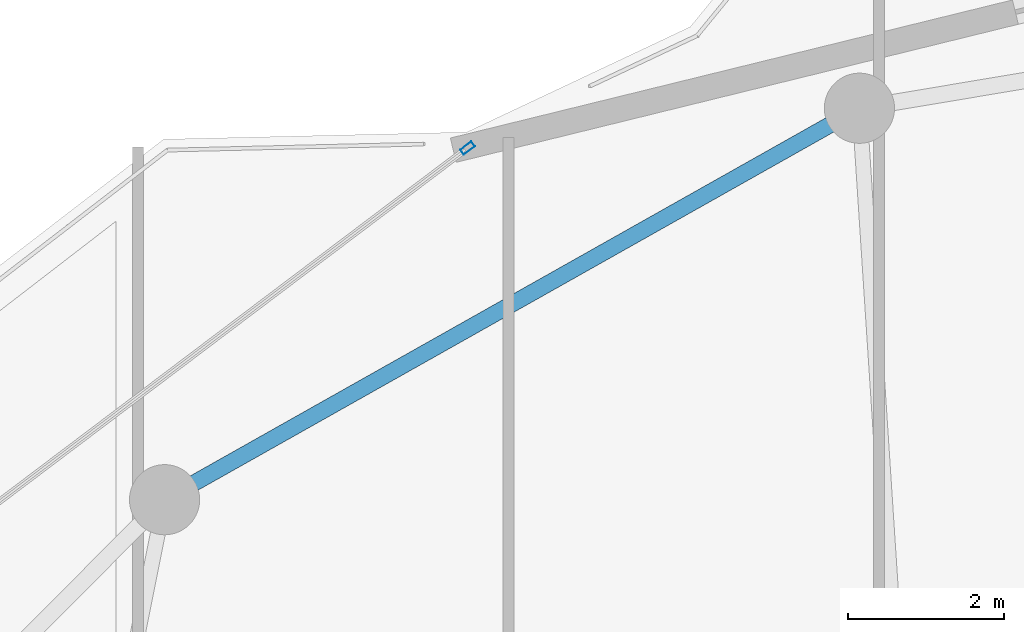
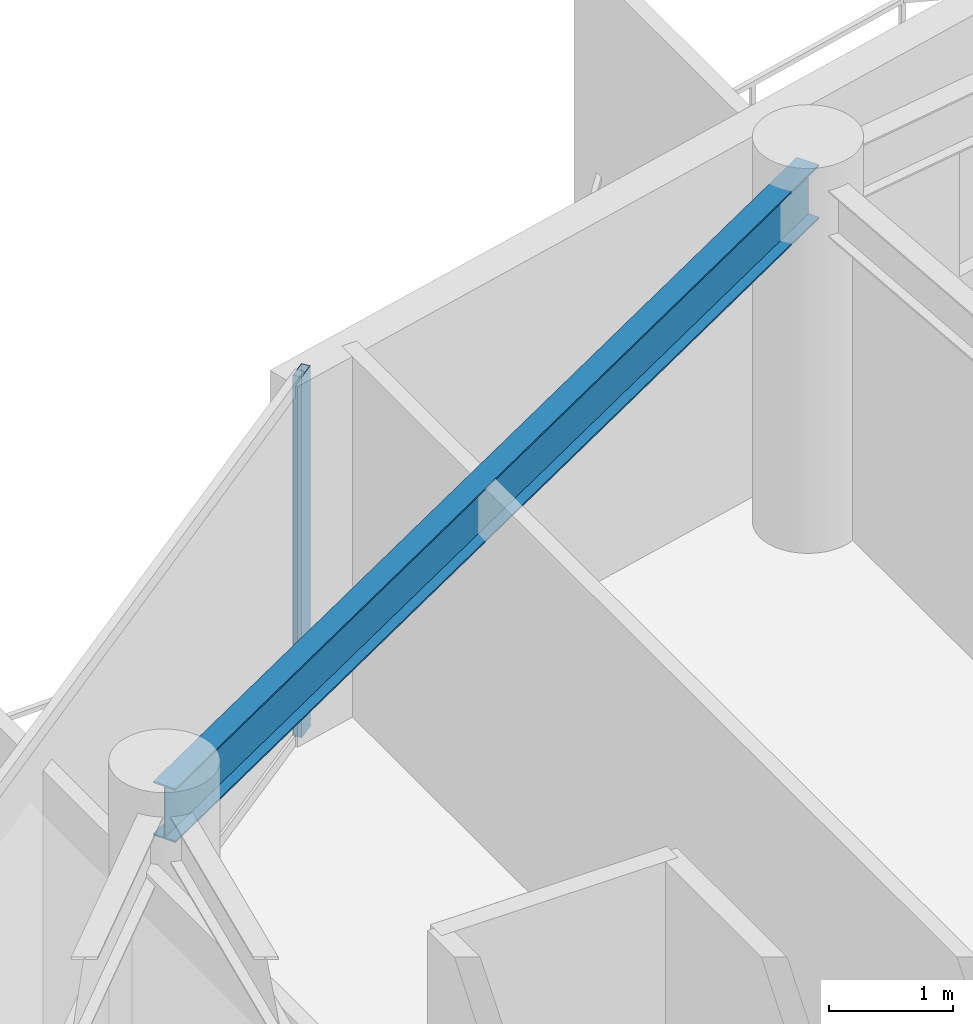
# One storey, part 18 of 29: 1 beam, 1 member, 1 element without a shape of its own.
"""IFC4 building model written with IfcOpenShell, lengths in metres."""

import ifcopenshell
import ifcopenshell.guid

model = None  # the IFC model being written
_history = None  # IfcOwnerHistory: only IFC2X3 demands one
_inside = {}  # id of a spatial element -> (the spatial element, [elements in it])
_under = {}  # id of a project, library or spatial element -> (it, [spatial elements below it])
_declared = {}  # id of a project -> (the project, [libraries it declares])
_typed = {}  # id of a type object -> (the type object, [elements of that type])
_made_of = {}  # id of a material, layer set ... -> (it, [elements and type objects made of it])


def new_model(schema):
    """Start an empty IFC model of exactly this schema.

    Asked for "IFC4X3", IfcOpenShell would pick the latest addendum, in which some entities
    have other attributes; the version numbers below select the first issue.
    IFC2X3 requires an IfcOwnerHistory on every rooted entity: one is made here for all.
    """
    global model, _history
    if schema == "IFC4X3":
        model = ifcopenshell.file(schema_version=(4, 3, 0, 0))
    else:
        model = ifcopenshell.file(schema=schema)
    _inside.clear()
    _under.clear()
    _declared.clear()
    _typed.clear()
    _made_of.clear()
    _history = None
    if model.schema == "IFC2X3":
        org = make("IfcOrganization", Name="unknown")
        user = make(
            "IfcPersonAndOrganization",
            ThePerson=make("IfcPerson", FamilyName="unknown"),
            TheOrganization=org,
        )
        app = make(
            "IfcApplication",
            ApplicationDeveloper=org,
            Version="unknown",
            ApplicationFullName="unknown",
            ApplicationIdentifier="unknown",
        )
        _history = make(
            "IfcOwnerHistory",
            OwningUser=user,
            OwningApplication=app,
            ChangeAction="ADDED",
            CreationDate=0,
        )
    return model


def make(cls, **values):
    """One entity of the class cls with the attributes given. An attribute that is None is left unset."""
    return model.create_entity(
        cls, **{name: value for name, value in values.items() if value is not None}
    )


def rooted(cls, **values):
    """An entity with a GlobalId (a new one), such as an element, a storey or a relation."""
    return make(cls, GlobalId=ifcopenshell.guid.new(), OwnerHistory=_history, **values)


def si_unit(unit_type, name, prefix=None):
    """IfcSIUnit, for example si_unit("LENGTHUNIT", "METRE", prefix="MILLI")."""
    return make("IfcSIUnit", UnitType=unit_type, Prefix=prefix, Name=name)


def assignment(units):
    """IfcUnitAssignment: the units of a project."""
    return None if units is None else make("IfcUnitAssignment", Units=units)


def point(xyz):
    """IfcCartesianPoint."""
    return None if xyz is None else make("IfcCartesianPoint", Coordinates=xyz)


def direction(xyz):
    """IfcDirection."""
    return None if xyz is None else make("IfcDirection", DirectionRatios=xyz)


def frame(location, z_axis=None, x_axis=None):
    """IfcAxis2Placement3D, a coordinate frame: its origin and axes. An axis left out is left unset."""
    return make(
        "IfcAxis2Placement3D",
        Location=point(location),
        Axis=direction(z_axis),
        RefDirection=direction(x_axis),
    )


def frame_2d(location, x_axis=None):
    """IfcAxis2Placement2D, a coordinate frame in the plane: its origin and x axis."""
    return make(
        "IfcAxis2Placement2D", Location=point(location), RefDirection=direction(x_axis)
    )


def origin():
    """The frame at (0, 0, 0) with its axes left unset."""
    return frame((0.0, 0.0, 0.0))


def origin_2d():
    """The frame at (0, 0) in the plane with its x axis left unset."""
    return frame_2d((0.0, 0.0))


def place(relative_to, where):
    """IfcLocalPlacement: puts the frame where relative to a parent placement (None: the world)."""
    return make(
        "IfcLocalPlacement", PlacementRelTo=relative_to, RelativePlacement=where
    )


def context(
    kind, dimensions, precision=None, world=None, true_north=None, identifier=None
):
    """IfcGeometricRepresentationContext, for example the 3D "Model" context."""
    return make(
        "IfcGeometricRepresentationContext",
        ContextIdentifier=identifier,
        ContextType=kind,
        CoordinateSpaceDimension=dimensions,
        Precision=precision,
        WorldCoordinateSystem=world,
        TrueNorth=true_north,
    )


def subcontext(parent, identifier, kind, view, scale=None):
    """IfcGeometricRepresentationSubContext, for example "Body" below "Model"."""
    return make(
        "IfcGeometricRepresentationSubContext",
        ContextIdentifier=identifier,
        ContextType=kind,
        ParentContext=parent,
        TargetScale=scale,
        TargetView=view,
    )


def project(units=None, contexts=None):
    """IfcProject with its units and contexts."""
    return rooted(
        "IfcProject",
        Name="project",
        RepresentationContexts=contexts,
        UnitsInContext=assignment(units),
    )


def spatial(cls, under=None, at=None, **own):
    """A site, building, storey or space (cls), placed at a placement, below another one or the project."""
    s = rooted(cls, ObjectPlacement=at, **own)
    if under is not None:
        _under.setdefault(under.id(), (under, []))[1].append(s)
    return s


def profile(cls, at=None, kind="AREA", **sizes):
    """A parametric profile (cls). Its sizes go by their IFC names, for example OverallWidth=200.0."""
    return make(cls, ProfileType=kind, Position=at, **sizes)


def hollow_rectangle(**sizes):
    """IfcRectangleHollowProfileDef."""
    return profile("IfcRectangleHollowProfileDef", **sizes)


def i_section(**sizes):
    """IfcIShapeProfileDef."""
    return profile("IfcIShapeProfileDef", **sizes)


def extrude(swept, where, along, depth):
    """IfcExtrudedAreaSolid: the profile swept, set in the frame where, extruded along a direction by depth."""
    return make(
        "IfcExtrudedAreaSolid",
        SweptArea=swept,
        Position=where,
        ExtrudedDirection=direction(along),
        Depth=depth,
    )


def shape(context_of_items, identifier, shape_type, items):
    """IfcShapeRepresentation: the items that make up one representation, for example the "Body"."""
    return make(
        "IfcShapeRepresentation",
        ContextOfItems=context_of_items,
        RepresentationIdentifier=identifier,
        RepresentationType=shape_type,
        Items=items,
    )


def material(Name=None, Category=None):
    """IfcMaterial."""
    return make("IfcMaterial", Name=Name, Category=Category)


def layer(
    of_material, thickness, ventilated=None, Name=None, Category=None, Priority=None
):
    """IfcMaterialLayer: one layer of a wall or slab, of a material (None: an air gap)."""
    return make(
        "IfcMaterialLayer",
        Material=of_material,
        LayerThickness=thickness,
        IsVentilated=ventilated,
        Name=Name,
        Category=Category,
        Priority=Priority,
    )


def layer_set(layers, Name=None):
    """IfcMaterialLayerSet."""
    return make("IfcMaterialLayerSet", MaterialLayers=layers, LayerSetName=Name)


def material_profile(
    of_material, cross_section, Name=None, Category=None, Priority=None
):
    """IfcMaterialProfile: a cross section and its material."""
    return make(
        "IfcMaterialProfile",
        Name=Name,
        Material=of_material,
        Profile=cross_section,
        Priority=Priority,
        Category=Category,
    )


def profile_set(profiles, Name=None, composite=None):
    """IfcMaterialProfileSet."""
    return make(
        "IfcMaterialProfileSet",
        Name=Name,
        MaterialProfiles=profiles,
        CompositeProfile=composite,
    )


def made_of(thing, what):
    """Note that an element or type object is made of a material, layer set ...; save() writes the relation."""
    if what is not None:
        _made_of.setdefault(what.id(), (what, []))[1].append(thing)
    return thing


def type_object(cls, material=None, **own):
    """A type object (cls), such as IfcWallType, which elements share."""
    return made_of(rooted(cls, **own), material)


def element(
    cls,
    number,
    at=None,
    inside=None,
    cuts=None,
    type_object=None,
    material=None,
    context=None,
    identifier="Body",
    shape_type=None,
    held_by="IfcProductDefinitionShape",
    body=None,
    shapes=None,
    **own,
):
    """One element of the class cls, such as IfcWall. Its Tag is "e" and its number.

    at: its placement. inside: the storey or other place that contains it. cuts: it is an
    opening in that element (IfcRelVoidsElement). A single representation is given by context,
    identifier, shape_type and body (its items); several are given by shapes. held_by: the class
    of the entity that holds the representations. save() writes the other relations.
    """
    e = rooted(cls, Tag="e%d" % number, ObjectPlacement=at, **own)
    if body is not None:
        shapes = [shape(context, identifier, shape_type, body)]
    if shapes is not None:
        e.Representation = make(held_by, Representations=shapes)
    if inside is not None:
        _inside.setdefault(inside.id(), (inside, []))[1].append(e)
    if cuts is not None:
        rooted(
            "IfcRelVoidsElement", RelatingBuildingElement=cuts, RelatedOpeningElement=e
        )
    if type_object is not None:
        _typed.setdefault(type_object.id(), (type_object, []))[1].append(e)
    return made_of(e, material)


def aggregate(whole, parts):
    """IfcRelAggregates: a whole, such as a stair, and the parts it consists of."""
    return rooted("IfcRelAggregates", RelatingObject=whole, RelatedObjects=parts)


def save(model, path):
    """Write the relations noted so far, then the file.

    IfcRelAggregates (storeys below a building ...), IfcRelContainedInSpatialStructure (elements
    in a storey), IfcRelDefinesByType, IfcRelAssociatesMaterial and IfcRelDeclares: one each for
    every whole, place, type object, material and project.
    """
    for whole, parts in _under.values():
        aggregate(whole, parts)
    for where, things in _inside.values():
        rooted(
            "IfcRelContainedInSpatialStructure",
            RelatedElements=things,
            RelatingStructure=where,
        )
    for kind, things in _typed.values():
        rooted("IfcRelDefinesByType", RelatedObjects=things, RelatingType=kind)
    for what, things in _made_of.values():
        rooted("IfcRelAssociatesMaterial", RelatedObjects=things, RelatingMaterial=what)
    for by, libraries in _declared.values():
        rooted("IfcRelDeclares", RelatingContext=by, RelatedDefinitions=libraries)
    model.write(path)


model = new_model("IFC4")

# Units and contexts
model_context = context("Model", 3, precision=1e-05, world=origin(), true_north=direction((0.0, 1.0)))
body_context = subcontext(model_context, "Body", "Model", "MODEL_VIEW")
ifc_project = project(units=[si_unit("LENGTHUNIT", "METRE"), si_unit("AREAUNIT", "SQUARE_METRE"), si_unit("VOLUMEUNIT", "CUBIC_METRE"), si_unit("PLANEANGLEUNIT", "RADIAN"), si_unit("MASSUNIT", "GRAM", prefix="KILO")], contexts=[model_context])

# Site, building, storey
site_placement = place(None, origin())
site = spatial("IfcSite", under=ifc_project, at=site_placement, CompositionType="ELEMENT")
building_placement = place(site_placement, origin())
building = spatial("IfcBuilding", under=site, at=building_placement, Name="Kazevale Care Tower and Concert Hall", CompositionType="ELEMENT")
storey_placement = place(building_placement, frame((0.0, 0.0, 262.39990234375)))
storey = spatial("IfcBuildingStorey", under=building, at=storey_placement, Name="L69", CompositionType="ELEMENT", Elevation=262.39990234375)

# Curtain wall, member
ifc_material_1 = material(Name="Aluminium 6063-T6 and Low-E Glass", Category="aluminium")
ifc_layer = layer(ifc_material_1, 0.179931640625)
ifc_layer_set = layer_set([ifc_layer], Name="Aluminium 6063-T6 and Low-E Glass")
curtain_wall_type = type_object("IfcCurtainWallType", Name="Waist & Upper Residential Curtain Wall CW-4", PredefinedType="NOTDEFINED", material=ifc_layer_set)
curtain_wall_placement = place(storey_placement, origin())
curtain_wall = element("IfcCurtainWall", 1, at=curtain_wall_placement, inside=storey, type_object=curtain_wall_type, Name="cw:L69:f14", PredefinedType="NOTDEFINED")
ifc_material_2 = material(Name="Aluminium 6063-T6", Category="aluminium")
ifc_material_profile_1 = material_profile(ifc_material_2, hollow_rectangle(XDim=0.080078125, YDim=0.179931640625, WallThickness=0.0048828125, at=origin_2d()), Name="ALU80x180x5")
ifc_profile_set_1 = profile_set([ifc_material_profile_1], Name="Aluminium 6063-T6")
member_type = type_object("IfcMemberType", Name="CW-4 Mullion ALU80x180x5", PredefinedType="MULLION", material=ifc_profile_set_1)
member_placement = place(storey_placement, frame((29.47509765625, 58.8798828125, 0.0), z_axis=(0.0, 0.0, 1.0), x_axis=(-0.602512583142, 0.798109382952, 0.0)))
member = element("IfcMember", 2, at=member_placement, type_object=member_type, Name="CW-4 mullion 2", PredefinedType="MULLION", context=body_context, shape_type="SweptSolid", body=[
    extrude(hollow_rectangle(XDim=0.080078125, YDim=0.179931640625, WallThickness=0.0048828125, at=origin_2d()), origin(), (0.0, 0.0, 1.0), 3.56005859375),
])
aggregate(curtain_wall, [member])

# Beam
ifc_material_3 = material(Name="Steel ASTM A572 Gr 50", Category="steel")
ifc_material_profile_2 = material_profile(ifc_material_3, i_section(OverallWidth=0.208984375, OverallDepth=0.532958984375, WebThickness=0.01025390625, FlangeThickness=0.015625, at=origin_2d()), Name="W530x92")
ifc_profile_set_2 = profile_set([ifc_material_profile_2], Name="Steel ASTM A572 Gr 50")
beam_type = type_object("IfcBeamType", Name="Upper Ring Beam W530x92", PredefinedType="BEAM", material=ifc_profile_set_2)
beam_placement = place(storey_placement, frame((34.5, 59.389892578125, 3.293701171875), z_axis=(-0.871243170179, -0.490851646035, 0.0), x_axis=(0.490851646035, -0.871243170179, 0.0)))
element("IfcBeam", 3, at=beam_placement, inside=storey, type_object=beam_type, Name="beam:L69:ring:06", PredefinedType="BEAM", context=body_context, shape_type="SweptSolid", body=[
    extrude(i_section(OverallWidth=0.208984375, OverallDepth=0.532958984375, WebThickness=0.01025390625, FlangeThickness=0.015625, at=origin_2d()), origin(), (0.0, 0.0, 1.0), 10.2265625),
])

save(model, "model.ifc")
